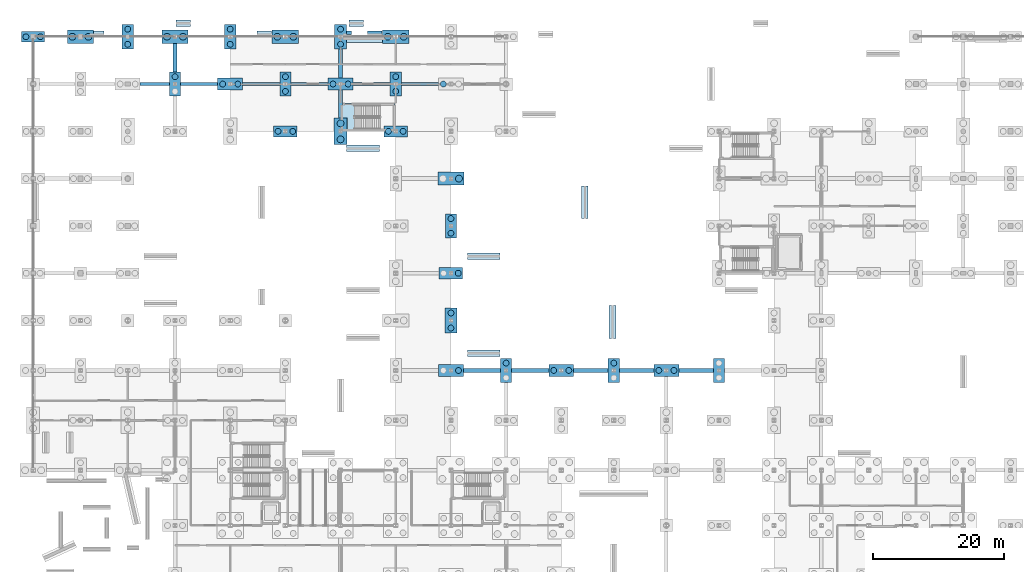
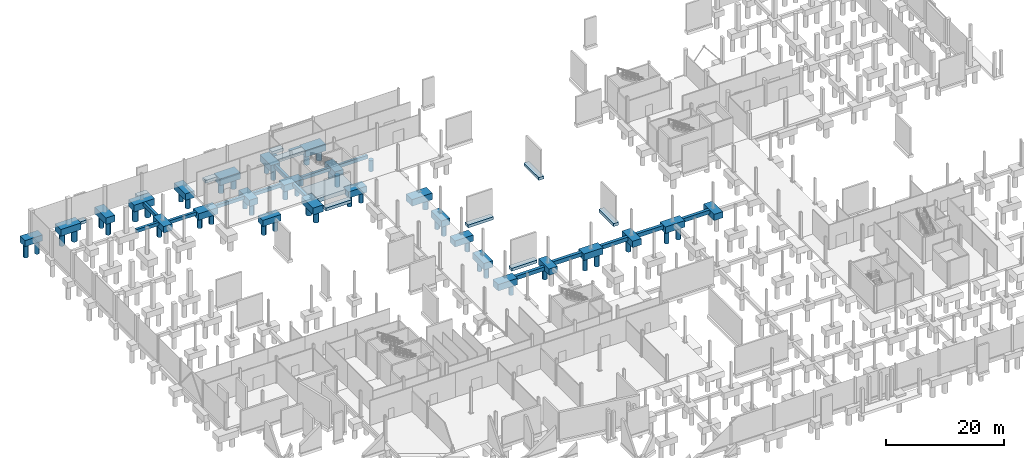
# One storey, part 8 of 61: 53 footings, 45 piles.
"""IFC4 building model written with IfcOpenShell, lengths in metres."""

from ifc_helpers import new_model, si_unit, direction, frame, origin, origin_2d, place, context, subcontext, project, spatial, polyline, rectangle, circle, outline, extrude, material, material_profile, profile_set, type_object, element, save


model = new_model("IFC4")

# Units and contexts
model_context = context("Model", 3, precision=1e-05, world=origin(), true_north=direction((0.0, 1.0)))
body_context = subcontext(model_context, "Body", "Model", "MODEL_VIEW")
ifc_project = project(units=[si_unit("LENGTHUNIT", "METRE"), si_unit("AREAUNIT", "SQUARE_METRE"), si_unit("VOLUMEUNIT", "CUBIC_METRE"), si_unit("PLANEANGLEUNIT", "RADIAN"), si_unit("MASSUNIT", "GRAM", prefix="KILO")], contexts=[model_context])

# Site, building, storey
site_placement = place(None, origin())
site = spatial("IfcSite", under=ifc_project, at=site_placement, CompositionType="ELEMENT")
building_placement = place(site_placement, origin())
building = spatial("IfcBuilding", under=site, at=building_placement, Name="Calvrana Isthmian Art Gallery", CompositionType="ELEMENT")
storey_placement = place(building_placement, frame((0.0, 0.0, -5.39990234375)))
storey = spatial("IfcBuildingStorey", under=building, at=storey_placement, Name="B1", CompositionType="ELEMENT", Elevation=-5.39990234375)

# Footings
ifc_material_1 = material(Name="Concrete C40/50", Category="concrete")
footing_type_1 = type_object("IfcFootingType", Name="FT-MAT-CORE", PredefinedType="PAD_FOOTING", material=ifc_material_1)
footing_1_placement = place(storey_placement, frame((0.0, 0.0, -1.300048828125)))
element("IfcFooting", 1, at=footing_1_placement, inside=storey, type_object=footing_type_1, Name="Core C6 mat footing", PredefinedType="PAD_FOOTING", context=body_context, shape_type="SweptSolid", body=[
    extrude(outline(polyline([(55.1201171875, 102.64990234375), (55.1201171875, 99.2900390625), (53.360107421875, 99.2900390625), (53.360107421875, 98.47998046875), (47.840087890625, 98.47998046875), (47.840087890625, 100.43994140625), (46.8798828125, 100.43994140625), (46.8798828125, 102.64990234375), (55.1201171875, 102.64990234375)])), origin(), (0.0, 0.0, 1.0), 0.849853515625),
])
ifc_material_2 = material(Name="Concrete C35/45", Category="concrete")
footing_type_2 = type_object("IfcFootingType", Name="FT-PC-170X360X130", PredefinedType="PILE_CAP", material=ifc_material_2)
for number, where, z_axis, x_axis, name in (
    (2, (21.60009765625, 105.60009765625, -1.30029296875), (0.0, 0.0, 1.0), (1.0, 0.0, 0.0), "Pile cap 04/O"),
    (3, (38.39990234375, 105.60009765625, -1.75), (0.0, 0.0, 1.0), (1.0, 0.0, 0.0), "Pile cap 06/O"),
    (4, (55.199951171875, 105.60009765625, -1.75), (0.0, 0.0, 1.0), (1.0, 0.0, 0.0), "Pile cap 08/O"),
    (5, (63.60009765625, 84.0, -1.75), (0.0, 0.0, 1.0), (1.0, 0.0, 0.0), "Pile cap 09/L"),
    (6, (72.0, 62.0, -1.30029296875), (0.0, 0.0, 1.0), (1.0, 0.0, 0.0), "Pile cap 10/I"),
    (7, (88.39990234375, 62.0, -1.30029296875), (0.0, 0.0, 1.0), (1.0, 0.0, 0.0), "Pile cap 12/I"),
    (8, (104.39990234375, 62.0, -1.30029296875), (0.0, 0.0, 1.0), (1.0, 0.0, 0.0), "Pile cap 14/I"),
):
    element("IfcFooting", number, at=place(storey_placement, frame(where, z_axis=z_axis, x_axis=x_axis)), inside=storey, type_object=footing_type_2, Name=name, PredefinedType="PILE_CAP", context=body_context, shape_type="SweptSolid", body=[
        extrude(rectangle(XDim=1.699951171875, YDim=3.60009765625, at=origin_2d()), origin(), (0.0, 0.0, 1.0), 1.300048828125),
    ])
footing_type_3 = type_object("IfcFootingType", Name="FT-PC-180X380X135", PredefinedType="PILE_CAP", material=ifc_material_2)
for number, where, z_axis, x_axis, name in (
    (9, (14.39990234375, 112.800048828125, -1.35009765625), (0.0, 0.0, 1.0), (1.0, 0.0, 0.0), "Pile cap 03/P"),
    (10, (30.0, 112.800048828125, -1.800048828125), (0.0, 0.0, 1.0), (1.0, 0.0, 0.0), "Pile cap 05/P"),
    (11, (46.800048828125, 112.800048828125, -1.800048828125), (0.0, 0.0, 1.0), (1.0, 0.0, 0.0), "Pile cap 07/P"),
    (12, (63.60009765625, 69.60009765625, -1.800048828125), (0.0, 0.0, 1.0), (1.0, 0.0, 0.0), "Pile cap 09/J"),
):
    element("IfcFooting", number, at=place(storey_placement, frame(where, z_axis=z_axis, x_axis=x_axis)), inside=storey, type_object=footing_type_3, Name=name, PredefinedType="PILE_CAP", context=body_context, shape_type="SweptSolid", body=[
        extrude(rectangle(XDim=1.800048828125, YDim=3.800048828125, at=origin_2d()), origin(), (0.0, 0.0, 1.0), 1.35009765625),
    ])
footing_type_4 = type_object("IfcFootingType", Name="FT-PC-200X400X140", PredefinedType="PILE_CAP", material=ifc_material_2)
footing_2_placement = place(storey_placement, frame((46.800048828125, 98.39990234375, -1.85009765625), z_axis=(0.0, 0.0, 1.0), x_axis=(1.0, 0.0, 0.0)))
element("IfcFooting", 13, at=footing_2_placement, inside=storey, type_object=footing_type_4, Name="Pile cap 07/N", PredefinedType="PILE_CAP", context=body_context, shape_type="SweptSolid", body=[
    extrude(rectangle(XDim=2.0, YDim=4.0, at=origin_2d()), origin(), (0.0, 0.0, 1.0), 1.39990234375),
])
footing_type_5 = type_object("IfcFootingType", Name="FT-PC-350X165X125", PredefinedType="PILE_CAP", material=ifc_material_2)
footing_3_placement = place(storey_placement, frame((0.0, 112.800048828125, -1.25), z_axis=(0.0, 0.0, 1.0), x_axis=(1.0, 0.0, 0.0)))
element("IfcFooting", 14, at=footing_3_placement, inside=storey, type_object=footing_type_5, Name="Pile cap 01/P", PredefinedType="PILE_CAP", context=body_context, shape_type="SweptSolid", body=[
    extrude(rectangle(XDim=3.5, YDim=1.64990234375, at=origin_2d()), origin(), (0.0, 0.0, 1.0), 1.25),
])
footing_type_6 = type_object("IfcFootingType", Name="FT-PC-360X170X130", PredefinedType="PILE_CAP", material=ifc_material_2)
for number, where, z_axis, x_axis, name in (
    (15, (38.39990234375, 98.39990234375, -1.75), (0.0, 0.0, 1.0), (1.0, 0.0, 0.0), "Pile cap 06/N"),
    (16, (55.199951171875, 98.39990234375, -1.75), (0.0, 0.0, 1.0), (1.0, 0.0, 0.0), "Pile cap 08/N"),
    (17, (63.60009765625, 76.800048828125, -1.75), (0.0, 0.0, 1.0), (1.0, 0.0, 0.0), "Pile cap 09/K"),
):
    element("IfcFooting", number, at=place(storey_placement, frame(where, z_axis=z_axis, x_axis=x_axis)), inside=storey, type_object=footing_type_6, Name=name, PredefinedType="PILE_CAP", context=body_context, shape_type="SweptSolid", body=[
        extrude(rectangle(XDim=3.60009765625, YDim=1.699951171875, at=origin_2d()), origin(), (0.0, 0.0, 1.0), 1.300048828125),
    ])
footing_type_7 = type_object("IfcFootingType", Name="FT-PC-380X180X135", PredefinedType="PILE_CAP", material=ifc_material_2)
for number, where, z_axis, x_axis, name in (
    (18, (30.0, 105.60009765625, -1.800048828125), (0.0, 0.0, 1.0), (1.0, 0.0, 0.0), "Pile cap 05/O"),
    (19, (46.800048828125, 105.60009765625, -1.800048828125), (0.0, 0.0, 1.0), (1.0, 0.0, 0.0), "Pile cap 07/O"),
    (20, (63.60009765625, 62.0, -1.800048828125), (0.0, 0.0, 1.0), (1.0, 0.0, 0.0), "Pile cap 09/I"),
    (21, (80.39990234375, 62.0, -1.35009765625), (0.0, 0.0, 1.0), (1.0, 0.0, 0.0), "Pile cap 11/I"),
    (22, (96.39990234375, 62.0, -1.35009765625), (0.0, 0.0, 1.0), (1.0, 0.0, 0.0), "Pile cap 13/I"),
):
    element("IfcFooting", number, at=place(storey_placement, frame(where, z_axis=z_axis, x_axis=x_axis)), inside=storey, type_object=footing_type_7, Name=name, PredefinedType="PILE_CAP", context=body_context, shape_type="SweptSolid", body=[
        extrude(rectangle(XDim=3.800048828125, YDim=1.800048828125, at=origin_2d()), origin(), (0.0, 0.0, 1.0), 1.35009765625),
    ])
footing_type_8 = type_object("IfcFootingType", Name="FT-PC-400X200X140", PredefinedType="PILE_CAP", material=ifc_material_2)
for number, where, z_axis, x_axis, name in (
    (23, (7.199951171875, 112.800048828125, -1.400146484375), (0.0, 0.0, 1.0), (1.0, 0.0, 0.0), "Pile cap 02/P"),
    (24, (21.60009765625, 112.800048828125, -1.400146484375), (0.0, 0.0, 1.0), (1.0, 0.0, 0.0), "Pile cap 04/P"),
    (25, (38.39990234375, 112.800048828125, -1.85009765625), (0.0, 0.0, 1.0), (1.0, 0.0, 0.0), "Pile cap 06/P"),
    (26, (55.199951171875, 112.800048828125, -1.85009765625), (0.0, 0.0, 1.0), (1.0, 0.0, 0.0), "Pile cap 08/P"),
    (27, (63.60009765625, 91.199951171875, -1.85009765625), (0.0, 0.0, 1.0), (1.0, 0.0, 0.0), "Pile cap 09/M"),
):
    element("IfcFooting", number, at=place(storey_placement, frame(where, z_axis=z_axis, x_axis=x_axis)), inside=storey, type_object=footing_type_8, Name=name, PredefinedType="PILE_CAP", context=body_context, shape_type="SweptSolid", body=[
        extrude(rectangle(XDim=4.0, YDim=2.0, at=origin_2d()), origin(), (0.0, 0.0, 1.0), 1.39990234375),
    ])
footing_type_9 = type_object("IfcFootingType", Name="FT-SF-1000X600", PredefinedType="STRIP_FOOTING", material=ifc_material_2)
footing_4_placement = place(storey_placement, frame((0.0, 0.0, -1.050048828125)))
element("IfcFooting", 28, at=footing_4_placement, inside=storey, type_object=footing_type_9, Name="Apron grade wall SLB_APR_NWCOURT-B strip footing", PredefinedType="STRIP_FOOTING", context=body_context, shape_type="SweptSolid", body=[
    extrude(outline(polyline([(47.699951171875, 95.300048828125), (52.699951171875, 95.300048828125), (52.699951171875, 96.300048828125), (47.699951171875, 96.300048828125), (47.699951171875, 95.300048828125)])), origin(), (0.0, 0.0, 1.0), 0.599853515625),
])
footing_5_placement = place(storey_placement, frame((0.0, 0.0, -1.050048828125)))
element("IfcFooting", 29, at=footing_5_placement, inside=storey, type_object=footing_type_9, Name="Apron grade wall SLB_CYD_NE_S-A strip footing", PredefinedType="STRIP_FOOTING", context=body_context, shape_type="SweptSolid", body=[
    extrude(outline(polyline([(66.10009765625, 64.10009765625), (71.10009765625, 64.10009765625), (71.10009765625, 65.10009765625), (66.10009765625, 65.10009765625), (66.10009765625, 64.10009765625)])), origin(), (0.0, 0.0, 1.0), 0.599853515625),
])
footing_6_placement = place(storey_placement, frame((0.0, 0.0, -1.050048828125)))
element("IfcFooting", 30, at=footing_6_placement, inside=storey, type_object=footing_type_9, Name="Apron grade wall SLB_CYD_NE_S-C strip footing", PredefinedType="STRIP_FOOTING", context=body_context, shape_type="SweptSolid", body=[
    extrude(outline(polyline([(88.699951171875, 66.89990234375), (88.699951171875, 71.89990234375), (87.699951171875, 71.89990234375), (87.699951171875, 66.89990234375), (88.699951171875, 66.89990234375)])), origin(), (0.0, 0.0, 1.0), 0.599853515625),
])
footing_7_placement = place(storey_placement, frame((0.0, 0.0, -1.050048828125)))
element("IfcFooting", 31, at=footing_7_placement, inside=storey, type_object=footing_type_9, Name="Apron grade wall SLB_CYD_NE_M-A strip footing", PredefinedType="STRIP_FOOTING", context=body_context, shape_type="SweptSolid", body=[
    extrude(outline(polyline([(66.10009765625, 78.89990234375), (71.10009765625, 78.89990234375), (71.10009765625, 79.89990234375), (66.10009765625, 79.89990234375), (66.10009765625, 78.89990234375)])), origin(), (0.0, 0.0, 1.0), 0.599853515625),
])
footing_8_placement = place(storey_placement, frame((0.0, 0.0, -1.050048828125)))
element("IfcFooting", 32, at=footing_8_placement, inside=storey, type_object=footing_type_9, Name="Apron grade wall SLB_CYD_NE_M-C strip footing", PredefinedType="STRIP_FOOTING", context=body_context, shape_type="SweptSolid", body=[
    extrude(outline(polyline([(84.5, 85.10009765625), (84.5, 90.10009765625), (83.5, 90.10009765625), (83.5, 85.10009765625), (84.5, 85.10009765625)])), origin(), (0.0, 0.0, 1.0), 0.599853515625),
])
footing_9_placement = place(storey_placement, frame((0.0, 0.0, -1.050048828125)))
element("IfcFooting", 33, at=footing_9_placement, inside=storey, type_object=footing_type_9, Name="Apron grade wall SLB_APR_NORTH_W-A strip footing", PredefinedType="STRIP_FOOTING", context=body_context, shape_type="SweptSolid", body=[
    extrude(outline(polyline([(10.780029296875, 113.64990234375), (10.780029296875, 112.64990234375), (9.215087890625, 112.64990234375), (9.215087890625, 113.64990234375), (10.780029296875, 113.64990234375)])), origin(), (0.0, 0.0, 1.0), 0.599853515625),
])
footing_10_placement = place(storey_placement, frame((0.0, 0.0, -1.050048828125)))
element("IfcFooting", 34, at=footing_10_placement, inside=storey, type_object=footing_type_9, Name="Apron grade wall SLB_APR_NORTH_W-B strip footing", PredefinedType="STRIP_FOOTING", context=body_context, shape_type="SweptSolid", body=[
    extrude(outline(polyline([(21.780029296875, 114.35009765625), (23.97998046875, 114.35009765625), (23.97998046875, 115.35009765625), (21.780029296875, 115.35009765625), (21.780029296875, 114.35009765625)])), origin(), (0.0, 0.0, 1.0), 0.599853515625),
])
footing_11_placement = place(storey_placement, frame((0.0, 0.0, -1.050048828125)))
element("IfcFooting", 35, at=footing_11_placement, inside=storey, type_object=footing_type_9, Name="Apron grade wall SLB_APR_NORTH_W-C strip footing", PredefinedType="STRIP_FOOTING", context=body_context, shape_type="SweptSolid", body=[
    extrude(outline(polyline([(34.10009765625, 112.64990234375), (36.300048828125, 112.64990234375), (36.300048828125, 113.64990234375), (34.10009765625, 113.64990234375), (34.10009765625, 112.64990234375)])), origin(), (0.0, 0.0, 1.0), 0.599853515625),
])
footing_12_placement = place(storey_placement, frame((0.0, 0.0, -1.050048828125)))
element("IfcFooting", 36, at=footing_12_placement, inside=storey, type_object=footing_type_9, Name="Apron grade wall SLB_APR_NORTH_BENCH-A strip footing", PredefinedType="STRIP_FOOTING", context=body_context, shape_type="SweptSolid", body=[
    extrude(outline(polyline([(48.5, 113.114990234375), (47.715087890625, 113.114990234375), (47.715087890625, 113.64990234375), (48.5, 113.64990234375), (48.5, 113.114990234375)])), origin(), (0.0, 0.0, 1.0), 0.599853515625),
])
footing_13_placement = place(storey_placement, frame((0.0, 0.0, -1.050048828125)))
element("IfcFooting", 37, at=footing_13_placement, inside=storey, type_object=footing_type_9, Name="Apron grade wall SLB_APR_NORTH_BENCH-B strip footing", PredefinedType="STRIP_FOOTING", context=body_context, shape_type="SweptSolid", body=[
    extrude(outline(polyline([(48.10009765625, 114.35009765625), (50.300048828125, 114.35009765625), (50.300048828125, 115.35009765625), (48.10009765625, 115.35009765625), (48.10009765625, 114.35009765625)])), origin(), (0.0, 0.0, 1.0), 0.599853515625),
])
footing_14_placement = place(storey_placement, frame((0.0, 0.0, -1.050048828125)))
element("IfcFooting", 38, at=footing_14_placement, inside=storey, type_object=footing_type_9, Name="Apron grade wall SLB_APR_NORTH_BENCH-C strip footing", PredefinedType="STRIP_FOOTING", context=body_context, shape_type="SweptSolid", body=[
    extrude(outline(polyline([(50.89990234375, 113.64990234375), (53.10009765625, 113.64990234375), (53.10009765625, 113.114990234375), (50.89990234375, 113.114990234375), (50.89990234375, 113.64990234375)])), origin(), (0.0, 0.0, 1.0), 0.599853515625),
])
footing_type_10 = type_object("IfcFootingType", Name="FT-SF-1200X650", PredefinedType="STRIP_FOOTING", material=ifc_material_2)
footing_15_placement = place(storey_placement, frame((0.0, 0.0, -1.10009765625)))
element("IfcFooting", 39, at=footing_15_placement, inside=storey, type_object=footing_type_10, Name="Hillside plinth retaining wall RW_B1_NORTH_W strip footing", PredefinedType="STRIP_FOOTING", context=body_context, shape_type="SweptSolid", body=[
    extrude(outline(polyline([(47.715087890625, 111.89990234375), (47.715087890625, 113.10009765625), (53.18505859375, 113.10009765625), (53.18505859375, 111.89990234375), (47.715087890625, 111.89990234375)])), origin(), (0.0, 0.0, 1.0), 0.64990234375),
])
footing_type_11 = type_object("IfcFootingType", Name="FT-TB-500X700", PredefinedType="FOOTING_BEAM", material=ifc_material_2)
footing_16_placement = place(storey_placement, frame((0.0, 0.0, -0.7001953125)))
element("IfcFooting", 40, at=footing_16_placement, inside=storey, type_object=footing_type_11, Name="Footing tie beam X 02-14", PredefinedType="FOOTING_BEAM", context=body_context, shape_type="SweptSolid", body=[
    extrude(outline(polyline([(16.300048828125, 105.35009765625), (20.75, 105.35009765625), (20.75, 105.85009765625), (16.300048828125, 105.85009765625), (16.300048828125, 105.35009765625)])), origin(), (0.0, 0.0, 1.0), 0.7001953125),
])
footing_17_placement = place(storey_placement, frame((0.0, 0.0, -1.150146484375)))
element("IfcFooting", 41, at=footing_17_placement, inside=storey, type_object=footing_type_11, Name="Footing tie beam X 03-14", PredefinedType="FOOTING_BEAM", context=body_context, shape_type="SweptSolid", body=[
    extrude(outline(polyline([(22.449951171875, 105.35009765625), (28.10009765625, 105.35009765625), (28.10009765625, 105.85009765625), (22.449951171875, 105.85009765625), (22.449951171875, 105.35009765625)])), origin(), (0.0, 0.0, 1.0), 0.699951171875),
])
footing_18_placement = place(storey_placement, frame((0.0, 0.0, -1.150146484375)))
element("IfcFooting", 42, at=footing_18_placement, inside=storey, type_object=footing_type_11, Name="Footing tie beam X 04-14", PredefinedType="FOOTING_BEAM", context=body_context, shape_type="SweptSolid", body=[
    extrude(outline(polyline([(31.89990234375, 105.35009765625), (37.550048828125, 105.35009765625), (37.550048828125, 105.85009765625), (31.89990234375, 105.85009765625), (31.89990234375, 105.35009765625)])), origin(), (0.0, 0.0, 1.0), 0.699951171875),
])
footing_19_placement = place(storey_placement, frame((0.0, 0.0, -1.150146484375)))
element("IfcFooting", 43, at=footing_19_placement, inside=storey, type_object=footing_type_11, Name="Footing tie beam X 05-14", PredefinedType="FOOTING_BEAM", context=body_context, shape_type="SweptSolid", body=[
    extrude(outline(polyline([(39.25, 105.35009765625), (44.89990234375, 105.35009765625), (44.89990234375, 105.85009765625), (39.25, 105.85009765625), (39.25, 105.35009765625)])), origin(), (0.0, 0.0, 1.0), 0.699951171875),
])
footing_20_placement = place(storey_placement, frame((0.0, 0.0, -1.150146484375)))
element("IfcFooting", 44, at=footing_20_placement, inside=storey, type_object=footing_type_11, Name="Footing tie beam X 06-14", PredefinedType="FOOTING_BEAM", context=body_context, shape_type="SweptSolid", body=[
    extrude(outline(polyline([(48.699951171875, 105.35009765625), (54.35009765625, 105.35009765625), (54.35009765625, 105.85009765625), (48.699951171875, 105.85009765625), (48.699951171875, 105.35009765625)])), origin(), (0.0, 0.0, 1.0), 0.699951171875),
])
footing_21_placement = place(storey_placement, frame((0.0, 0.0, -1.150146484375)))
element("IfcFooting", 45, at=footing_21_placement, inside=storey, type_object=footing_type_11, Name="Footing tie beam X 07-14", PredefinedType="FOOTING_BEAM", context=body_context, shape_type="SweptSolid", body=[
    extrude(outline(polyline([(56.050048828125, 105.35009765625), (61.699951171875, 105.35009765625), (61.699951171875, 105.85009765625), (56.050048828125, 105.85009765625), (56.050048828125, 105.35009765625)])), origin(), (0.0, 0.0, 1.0), 0.699951171875),
])
footing_type_12 = type_object("IfcFootingType", Name="FT-TB-550X750", PredefinedType="FOOTING_BEAM", material=ifc_material_2)
footing_22_placement = place(storey_placement, frame((0.0, 0.0, -0.75)))
element("IfcFooting", 46, at=footing_22_placement, inside=storey, type_object=footing_type_12, Name="Footing tie beam Y 03-14", PredefinedType="FOOTING_BEAM", context=body_context, shape_type="SweptSolid", body=[
    extrude(outline(polyline([(21.324951171875, 107.39990234375), (21.875, 107.39990234375), (21.875, 111.800048828125), (21.324951171875, 111.800048828125), (21.324951171875, 107.39990234375)])), origin(), (0.0, 0.0, 1.0), 0.75),
])
footing_23_placement = place(storey_placement, frame((0.0, 0.0, -1.2001953125)))
element("IfcFooting", 47, at=footing_23_placement, inside=storey, type_object=footing_type_12, Name="Footing tie beam Y 06-13", PredefinedType="FOOTING_BEAM", context=body_context, shape_type="SweptSolid", body=[
    extrude(outline(polyline([(46.52490234375, 100.39990234375), (47.074951171875, 100.39990234375), (47.074951171875, 104.699951171875), (46.52490234375, 104.699951171875), (46.52490234375, 100.39990234375)])), origin(), (0.0, 0.0, 1.0), 0.75),
])
footing_24_placement = place(storey_placement, frame((0.0, 0.0, -1.2001953125)))
element("IfcFooting", 48, at=footing_24_placement, inside=storey, type_object=footing_type_12, Name="Footing tie beam Y 06-14", PredefinedType="FOOTING_BEAM", context=body_context, shape_type="SweptSolid", body=[
    extrude(outline(polyline([(46.52490234375, 106.5), (47.074951171875, 106.5), (47.074951171875, 110.89990234375), (46.52490234375, 110.89990234375), (46.52490234375, 106.5)])), origin(), (0.0, 0.0, 1.0), 0.75),
])
footing_type_13 = type_object("IfcFootingType", Name="FT-TB-600X800", PredefinedType="FOOTING_BEAM", material=ifc_material_2)
footing_25_placement = place(storey_placement, frame((0.0, 0.0, -1.25)))
element("IfcFooting", 49, at=footing_25_placement, inside=storey, type_object=footing_type_13, Name="Footing tie beam X 08-08", PredefinedType="FOOTING_BEAM", context=body_context, shape_type="SweptSolid", body=[
    extrude(outline(polyline([(65.5, 61.699951171875), (71.14990234375, 61.699951171875), (71.14990234375, 62.300048828125), (65.5, 62.300048828125), (65.5, 61.699951171875)])), origin(), (0.0, 0.0, 1.0), 0.7998046875),
])
footing_26_placement = place(storey_placement, frame((0.0, 0.0, -0.800048828125)))
element("IfcFooting", 50, at=footing_26_placement, inside=storey, type_object=footing_type_13, Name="Footing tie beam X 09-08", PredefinedType="FOOTING_BEAM", context=body_context, shape_type="SweptSolid", body=[
    extrude(outline(polyline([(72.85009765625, 61.699951171875), (78.5, 61.699951171875), (78.5, 62.300048828125), (72.85009765625, 62.300048828125), (72.85009765625, 61.699951171875)])), origin(), (0.0, 0.0, 1.0), 0.800048828125),
])
footing_27_placement = place(storey_placement, frame((0.0, 0.0, -0.800048828125)))
element("IfcFooting", 51, at=footing_27_placement, inside=storey, type_object=footing_type_13, Name="Footing tie beam X 10-08", PredefinedType="FOOTING_BEAM", context=body_context, shape_type="SweptSolid", body=[
    extrude(outline(polyline([(82.300048828125, 61.699951171875), (87.550048828125, 61.699951171875), (87.550048828125, 62.300048828125), (82.300048828125, 62.300048828125), (82.300048828125, 61.699951171875)])), origin(), (0.0, 0.0, 1.0), 0.800048828125),
])
footing_28_placement = place(storey_placement, frame((0.0, 0.0, -0.800048828125)))
element("IfcFooting", 52, at=footing_28_placement, inside=storey, type_object=footing_type_13, Name="Footing tie beam X 11-08", PredefinedType="FOOTING_BEAM", context=body_context, shape_type="SweptSolid", body=[
    extrude(outline(polyline([(89.25, 61.699951171875), (94.5, 61.699951171875), (94.5, 62.300048828125), (89.25, 62.300048828125), (89.25, 61.699951171875)])), origin(), (0.0, 0.0, 1.0), 0.800048828125),
])
footing_29_placement = place(storey_placement, frame((0.0, 0.0, -0.800048828125)))
element("IfcFooting", 53, at=footing_29_placement, inside=storey, type_object=footing_type_13, Name="Footing tie beam X 12-08", PredefinedType="FOOTING_BEAM", context=body_context, shape_type="SweptSolid", body=[
    extrude(outline(polyline([(98.300048828125, 61.699951171875), (103.550048828125, 61.699951171875), (103.550048828125, 62.300048828125), (98.300048828125, 62.300048828125), (98.300048828125, 61.699951171875)])), origin(), (0.0, 0.0, 1.0), 0.800048828125),
])

# Piles
ifc_material_profile_1 = material_profile(ifc_material_2, circle(Radius=0.52490234375, at=origin_2d()), Name="PILE1050D")
ifc_profile_set_1 = profile_set([ifc_material_profile_1], Name="Concrete C35/45")
pile_type_1 = type_object("IfcPileType", Name="PILE-D1050", PredefinedType="BORED", material=ifc_profile_set_1)
for number, where, z_axis, x_axis, name in (
    (54, (5.97998046875, 112.800048828125, -1.300048828125), (0.0, 0.0, -1.0), (1.0, 0.0, 0.0), "Bored pile PL-036"),
    (55, (8.419921875, 112.800048828125, -1.300048828125), (0.0, 0.0, -1.0), (1.0, 0.0, 0.0), "Bored pile PL-037"),
    (56, (20.3798828125, 112.800048828125, -1.300048828125), (0.0, 0.0, -1.0), (1.0, 0.0, 0.0), "Bored pile PL-078"),
    (57, (22.820068359375, 112.800048828125, -1.300048828125), (0.0, 0.0, -1.0), (1.0, 0.0, 0.0), "Bored pile PL-079"),
):
    element("IfcPile", number, at=place(storey_placement, frame(where, z_axis=z_axis, x_axis=x_axis)), inside=storey, type_object=pile_type_1, Name=name, PredefinedType="BORED", context=body_context, shape_type="SweptSolid", body=[
        extrude(circle(Radius=0.52490234375, at=origin_2d()), origin(), (0.0, 0.0, 1.0), 2.699951171875),
    ])
for number, where, z_axis, x_axis, name in (
    (58, (37.179931640625, 112.800048828125, -1.75), (0.0, 0.0, -1.0), (1.0, 0.0, 0.0), "Bored pile PL-129"),
    (59, (39.6201171875, 112.800048828125, -1.75), (0.0, 0.0, -1.0), (1.0, 0.0, 0.0), "Bored pile PL-130"),
    (60, (46.800048828125, 97.179931640625, -1.75), (0.0, 0.0, -1.0), (1.0, 0.0, 0.0), "Bored pile PL-145"),
    (61, (46.800048828125, 99.6201171875, -1.75), (0.0, 0.0, -1.0), (1.0, 0.0, 0.0), "Bored pile PL-146"),
    (62, (53.97998046875, 112.800048828125, -1.75), (0.0, 0.0, -1.0), (1.0, 0.0, 0.0), "Bored pile PL-183"),
    (63, (56.419921875, 112.800048828125, -1.75), (0.0, 0.0, -1.0), (1.0, 0.0, 0.0), "Bored pile PL-184"),
    (64, (64.820068359375, 91.199951171875, -1.75), (0.0, 0.0, -1.0), (1.0, 0.0, 0.0), "Bored pile PL-217"),
):
    element("IfcPile", number, at=place(storey_placement, frame(where, z_axis=z_axis, x_axis=x_axis)), inside=storey, type_object=pile_type_1, Name=name, PredefinedType="BORED", context=body_context, shape_type="SweptSolid", body=[
        extrude(circle(Radius=0.52490234375, at=origin_2d()), origin(), (0.0, 0.0, 1.0), 2.25),
    ])
ifc_material_profile_2 = material_profile(ifc_material_2, circle(Radius=0.449951171875, at=origin_2d()), Name="PILE900D")
ifc_profile_set_2 = profile_set([ifc_material_profile_2], Name="Concrete C35/45")
pile_type_2 = type_object("IfcPileType", Name="PILE-D900", PredefinedType="BORED", material=ifc_profile_set_2)
for number, where, z_axis, x_axis, name in (
    (65, (-1.10009765625, 112.800048828125, -1.150146484375), (0.0, 0.0, -1.0), (1.0, 0.0, 0.0), "Bored pile PL-017"),
    (66, (1.10009765625, 112.800048828125, -1.150146484375), (0.0, 0.0, -1.0), (1.0, 0.0, 0.0), "Bored pile PL-018"),
):
    element("IfcPile", number, at=place(storey_placement, frame(where, z_axis=z_axis, x_axis=x_axis)), inside=storey, type_object=pile_type_2, Name=name, PredefinedType="BORED", context=body_context, shape_type="SweptSolid", body=[
        extrude(circle(Radius=0.449951171875, at=origin_2d()), origin(), (0.0, 0.0, 1.0), 2.85009765625),
    ])
for number, where, z_axis, x_axis, name in (
    (67, (14.39990234375, 111.64990234375, -1.25), (0.0, 0.0, -1.0), (1.0, 0.0, 0.0), "Bored pile PL-054"),
    (68, (14.39990234375, 113.949951171875, -1.25), (0.0, 0.0, -1.0), (1.0, 0.0, 0.0), "Bored pile PL-055"),
):
    element("IfcPile", number, at=place(storey_placement, frame(where, z_axis=z_axis, x_axis=x_axis)), inside=storey, type_object=pile_type_2, Name=name, PredefinedType="BORED", context=body_context, shape_type="SweptSolid", body=[
        extrude(circle(Radius=0.449951171875, at=origin_2d()), origin(), (0.0, 0.0, 1.0), 2.75),
    ])
pile_1_placement = place(storey_placement, frame((21.60009765625, 106.719970703125, -1.2001953125), z_axis=(0.0, 0.0, -1.0), x_axis=(1.0, 0.0, 0.0)))
element("IfcPile", 69, at=pile_1_placement, inside=storey, type_object=pile_type_2, Name="Bored pile PL-077", PredefinedType="BORED", context=body_context, shape_type="SweptSolid", body=[
    extrude(circle(Radius=0.449951171875, at=origin_2d()), origin(), (0.0, 0.0, 1.0), 2.800048828125),
])
for number, where, z_axis, x_axis, name in (
    (70, (28.85009765625, 105.60009765625, -1.7001953125), (0.0, 0.0, -1.0), (1.0, 0.0, 0.0), "Bored pile PL-102"),
    (71, (31.14990234375, 105.60009765625, -1.7001953125), (0.0, 0.0, -1.0), (1.0, 0.0, 0.0), "Bored pile PL-103"),
    (72, (30.0, 111.64990234375, -1.7001953125), (0.0, 0.0, -1.0), (1.0, 0.0, 0.0), "Bored pile PL-104"),
    (73, (30.0, 113.949951171875, -1.7001953125), (0.0, 0.0, -1.0), (1.0, 0.0, 0.0), "Bored pile PL-105"),
):
    element("IfcPile", number, at=place(storey_placement, frame(where, z_axis=z_axis, x_axis=x_axis)), inside=storey, type_object=pile_type_2, Name=name, PredefinedType="BORED", context=body_context, shape_type="SweptSolid", body=[
        extrude(circle(Radius=0.449951171875, at=origin_2d()), origin(), (0.0, 0.0, 1.0), 2.300048828125),
    ])
for number, where, z_axis, x_axis, name in (
    (74, (37.280029296875, 98.39990234375, -1.650146484375), (0.0, 0.0, -1.0), (1.0, 0.0, 0.0), "Bored pile PL-125"),
    (75, (39.52001953125, 98.39990234375, -1.650146484375), (0.0, 0.0, -1.0), (1.0, 0.0, 0.0), "Bored pile PL-126"),
    (76, (38.39990234375, 104.47998046875, -1.650146484375), (0.0, 0.0, -1.0), (1.0, 0.0, 0.0), "Bored pile PL-127"),
    (77, (38.39990234375, 106.719970703125, -1.650146484375), (0.0, 0.0, -1.0), (1.0, 0.0, 0.0), "Bored pile PL-128"),
):
    element("IfcPile", number, at=place(storey_placement, frame(where, z_axis=z_axis, x_axis=x_axis)), inside=storey, type_object=pile_type_2, Name=name, PredefinedType="BORED", context=body_context, shape_type="SweptSolid", body=[
        extrude(circle(Radius=0.449951171875, at=origin_2d()), origin(), (0.0, 0.0, 1.0), 2.35009765625),
    ])
for number, where, z_axis, x_axis, name in (
    (78, (45.64990234375, 105.60009765625, -1.7001953125), (0.0, 0.0, -1.0), (1.0, 0.0, 0.0), "Bored pile PL-147"),
    (79, (47.949951171875, 105.60009765625, -1.7001953125), (0.0, 0.0, -1.0), (1.0, 0.0, 0.0), "Bored pile PL-148"),
    (80, (46.800048828125, 111.64990234375, -1.7001953125), (0.0, 0.0, -1.0), (1.0, 0.0, 0.0), "Bored pile PL-149"),
    (81, (46.800048828125, 113.949951171875, -1.7001953125), (0.0, 0.0, -1.0), (1.0, 0.0, 0.0), "Bored pile PL-150"),
):
    element("IfcPile", number, at=place(storey_placement, frame(where, z_axis=z_axis, x_axis=x_axis)), inside=storey, type_object=pile_type_2, Name=name, PredefinedType="BORED", context=body_context, shape_type="SweptSolid", body=[
        extrude(circle(Radius=0.449951171875, at=origin_2d()), origin(), (0.0, 0.0, 1.0), 2.300048828125),
    ])
for number, where, z_axis, x_axis, name in (
    (82, (54.080078125, 98.39990234375, -1.650146484375), (0.0, 0.0, -1.0), (1.0, 0.0, 0.0), "Bored pile PL-179"),
    (83, (56.320068359375, 98.39990234375, -1.650146484375), (0.0, 0.0, -1.0), (1.0, 0.0, 0.0), "Bored pile PL-180"),
    (84, (55.199951171875, 104.47998046875, -1.650146484375), (0.0, 0.0, -1.0), (1.0, 0.0, 0.0), "Bored pile PL-181"),
    (85, (55.199951171875, 106.719970703125, -1.650146484375), (0.0, 0.0, -1.0), (1.0, 0.0, 0.0), "Bored pile PL-182"),
):
    element("IfcPile", number, at=place(storey_placement, frame(where, z_axis=z_axis, x_axis=x_axis)), inside=storey, type_object=pile_type_2, Name=name, PredefinedType="BORED", context=body_context, shape_type="SweptSolid", body=[
        extrude(circle(Radius=0.449951171875, at=origin_2d()), origin(), (0.0, 0.0, 1.0), 2.35009765625),
    ])
for number, where, z_axis, x_axis, name in (
    (86, (64.75, 62.0, -1.7001953125), (0.0, 0.0, -1.0), (1.0, 0.0, 0.0), "Bored pile PL-209"),
    (87, (63.60009765625, 68.449951171875, -1.7001953125), (0.0, 0.0, -1.0), (1.0, 0.0, 0.0), "Bored pile PL-210"),
    (88, (63.60009765625, 70.75, -1.7001953125), (0.0, 0.0, -1.0), (1.0, 0.0, 0.0), "Bored pile PL-211"),
):
    element("IfcPile", number, at=place(storey_placement, frame(where, z_axis=z_axis, x_axis=x_axis)), inside=storey, type_object=pile_type_2, Name=name, PredefinedType="BORED", context=body_context, shape_type="SweptSolid", body=[
        extrude(circle(Radius=0.449951171875, at=origin_2d()), origin(), (0.0, 0.0, 1.0), 2.300048828125),
    ])
for number, where, z_axis, x_axis, name in (
    (89, (64.719970703125, 76.800048828125, -1.650146484375), (0.0, 0.0, -1.0), (1.0, 0.0, 0.0), "Bored pile PL-213"),
    (90, (63.60009765625, 82.8798828125, -1.650146484375), (0.0, 0.0, -1.0), (1.0, 0.0, 0.0), "Bored pile PL-214"),
    (91, (63.60009765625, 85.1201171875, -1.650146484375), (0.0, 0.0, -1.0), (1.0, 0.0, 0.0), "Bored pile PL-215"),
):
    element("IfcPile", number, at=place(storey_placement, frame(where, z_axis=z_axis, x_axis=x_axis)), inside=storey, type_object=pile_type_2, Name=name, PredefinedType="BORED", context=body_context, shape_type="SweptSolid", body=[
        extrude(circle(Radius=0.449951171875, at=origin_2d()), origin(), (0.0, 0.0, 1.0), 2.35009765625),
    ])
pile_2_placement = place(storey_placement, frame((62.449951171875, 105.60009765625, -1.7001953125), z_axis=(0.0, 0.0, -1.0), x_axis=(1.0, 0.0, 0.0)))
element("IfcPile", 92, at=pile_2_placement, inside=storey, type_object=pile_type_2, Name="Bored pile PL-220", PredefinedType="BORED", context=body_context, shape_type="SweptSolid", body=[
    extrude(circle(Radius=0.449951171875, at=origin_2d()), origin(), (0.0, 0.0, 1.0), 2.300048828125),
])
pile_3_placement = place(storey_placement, frame((72.0, 63.1201171875, -1.2001953125), z_axis=(0.0, 0.0, -1.0), x_axis=(1.0, 0.0, 0.0)))
element("IfcPile", 93, at=pile_3_placement, inside=storey, type_object=pile_type_2, Name="Bored pile PL-249", PredefinedType="BORED", context=body_context, shape_type="SweptSolid", body=[
    extrude(circle(Radius=0.449951171875, at=origin_2d()), origin(), (0.0, 0.0, 1.0), 2.800048828125),
])
for number, where, z_axis, x_axis, name in (
    (94, (79.25, 62.0, -1.25), (0.0, 0.0, -1.0), (1.0, 0.0, 0.0), "Bored pile PL-279"),
    (95, (81.550048828125, 62.0, -1.25), (0.0, 0.0, -1.0), (1.0, 0.0, 0.0), "Bored pile PL-280"),
):
    element("IfcPile", number, at=place(storey_placement, frame(where, z_axis=z_axis, x_axis=x_axis)), inside=storey, type_object=pile_type_2, Name=name, PredefinedType="BORED", context=body_context, shape_type="SweptSolid", body=[
        extrude(circle(Radius=0.449951171875, at=origin_2d()), origin(), (0.0, 0.0, 1.0), 2.75),
    ])
pile_4_placement = place(storey_placement, frame((88.39990234375, 63.1201171875, -1.2001953125), z_axis=(0.0, 0.0, -1.0), x_axis=(1.0, 0.0, 0.0)))
element("IfcPile", 96, at=pile_4_placement, inside=storey, type_object=pile_type_2, Name="Bored pile PL-292", PredefinedType="BORED", context=body_context, shape_type="SweptSolid", body=[
    extrude(circle(Radius=0.449951171875, at=origin_2d()), origin(), (0.0, 0.0, 1.0), 2.800048828125),
])
for number, where, z_axis, x_axis, name in (
    (97, (95.25, 62.0, -1.25), (0.0, 0.0, -1.0), (1.0, 0.0, 0.0), "Bored pile PL-308"),
    (98, (97.550048828125, 62.0, -1.25), (0.0, 0.0, -1.0), (1.0, 0.0, 0.0), "Bored pile PL-309"),
):
    element("IfcPile", number, at=place(storey_placement, frame(where, z_axis=z_axis, x_axis=x_axis)), inside=storey, type_object=pile_type_2, Name=name, PredefinedType="BORED", context=body_context, shape_type="SweptSolid", body=[
        extrude(circle(Radius=0.449951171875, at=origin_2d()), origin(), (0.0, 0.0, 1.0), 2.75),
    ])

save(model, "model.ifc")
